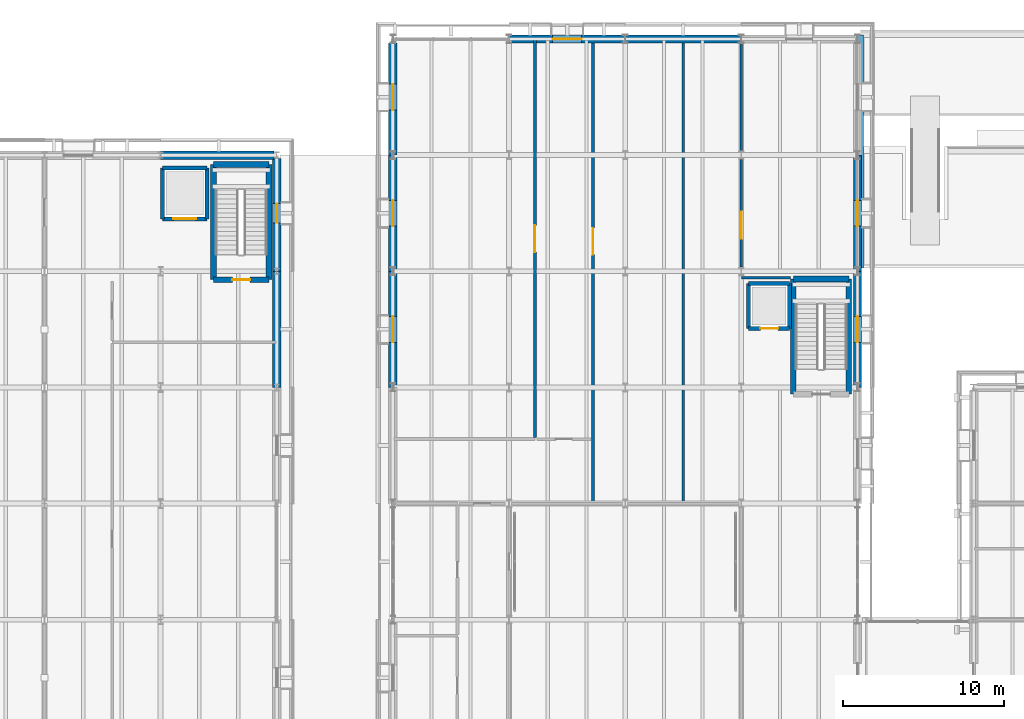
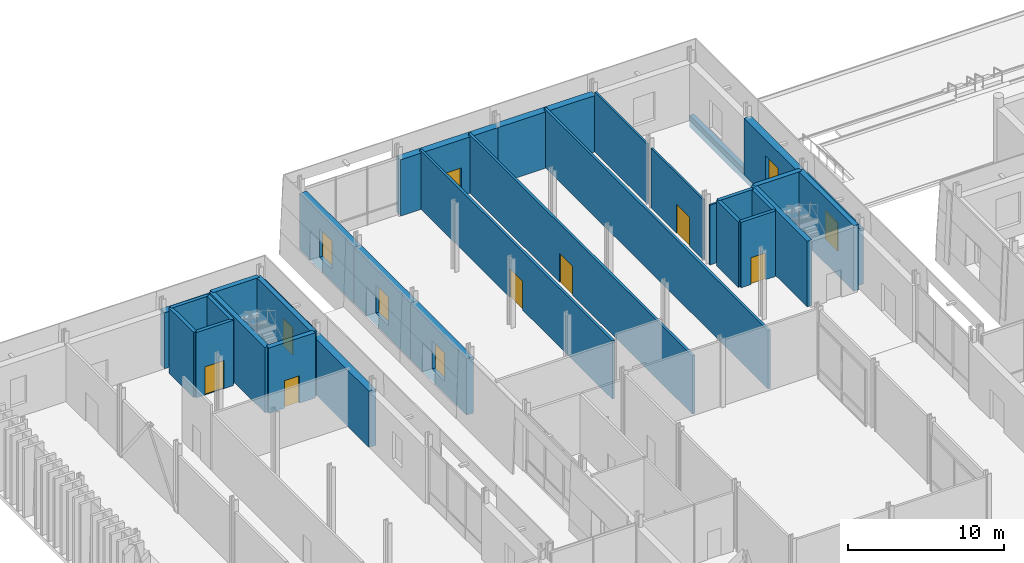
# One storey, part 75 of 120: 32 walls, 7 doors, 6 windows, 13 openings.
"""IFC4 building model written with IfcOpenShell, lengths in metres."""

from ifc_helpers import new_model, si_unit, direction, frame, frame_2d, origin, place, context, subcontext, project, spatial, rectangle, extrude, material, layer, layer_set, type_object, element, fill, save


model = new_model("IFC4")

# Units and contexts
model_context = context("Model", 3, precision=1e-05, world=origin(), true_north=direction((0.0, 1.0)))
body_context = subcontext(model_context, "Body", "Model", "MODEL_VIEW")
ifc_project = project(units=[si_unit("LENGTHUNIT", "METRE"), si_unit("AREAUNIT", "SQUARE_METRE"), si_unit("VOLUMEUNIT", "CUBIC_METRE"), si_unit("PLANEANGLEUNIT", "RADIAN"), si_unit("MASSUNIT", "GRAM", prefix="KILO")], contexts=[model_context])

# Site, building, storey
site_placement = place(None, origin())
site = spatial("IfcSite", under=ifc_project, at=site_placement, CompositionType="ELEMENT")
building_placement = place(site_placement, origin())
building = spatial("IfcBuilding", under=site, at=building_placement, Name="Narikvali Park Central Library", CompositionType="ELEMENT")
storey_placement = place(building_placement, origin())
storey = spatial("IfcBuildingStorey", under=building, at=storey_placement, Name="L00", CompositionType="ELEMENT", Elevation=0.0)

# Walls
ifc_material_1 = material(Name="White Rusticated Limestone over Concrete C35/45", Category="masonry")
ifc_layer_1 = layer(ifc_material_1, 0.340087890625, Name="White Rusticated Limestone over Concrete C35/45")
ifc_layer_set_1 = layer_set([ifc_layer_1], Name="White Rusticated Limestone over Concrete C35/45")
wall_type_1 = type_object("IfcWallType", Name="Forecourt Stepped Stone Plinth Wall 340", PredefinedType="SOLIDWALL", material=ifc_layer_set_1)
wall_1_placement = place(storey_placement, frame((57.800048828125, 101.0, -0.905029296875), z_axis=(0.0, 0.0, 1.0), x_axis=(0.0, 1.0, 0.0)))
element("IfcWall", 1, at=wall_1_placement, inside=storey, type_object=wall_type_1, Name="Forecourt Stone Plinth Wall FC-PLINTH-W", PredefinedType="SOLIDWALL", context=body_context, shape_type="SweptSolid", body=[
    extrude(rectangle(XDim=14.449951171875, YDim=0.340087890625, at=frame_2d((7.22509765625, 0.0))), origin(), (0.0, 0.0, 1.0), 0.905029296875),
])
ifc_material_2 = material(Name="Gypsum Board on Galvanised Steel Studs", Category="steel")
ifc_layer_2 = layer(ifc_material_2, 0.139892578125, Name="Gypsum Board on Galvanised Steel Studs")
ifc_layer_set_2 = layer_set([ifc_layer_2], Name="Gypsum Board on Galvanised Steel Studs")
wall_type_2 = type_object("IfcWallType", Name="Periodicals Partition Wall 140", PredefinedType="PARTITIONING", material=ifc_layer_set_2)
wall_2_placement = place(storey_placement, frame((50.39990234375, 100.39990234375, 0.0), z_axis=(0.0, 0.0, 1.0), x_axis=(1.0, 0.0, 0.0)))
element("IfcWall", 2, at=wall_2_placement, inside=storey, type_object=wall_type_2, Name="Current Periodicals Browsing Salon Partition S", PredefinedType="PARTITIONING", context=body_context, shape_type="SweptSolid", body=[
    extrude(rectangle(XDim=3.052978515625, YDim=0.139892578125, at=frame_2d((1.5263671875, 0.0))), origin(), (0.0, 0.0, 1.0), 4.6650390625),
])

# Wall, opening, door
wall_3_placement = place(storey_placement, frame((50.39990234375, 101.06591796875, 0.0), z_axis=(0.0, 0.0, 1.0), x_axis=(0.0, 1.0, 0.0)))
wall_3 = element("IfcWall", 3, at=wall_3_placement, inside=storey, type_object=wall_type_2, Name="Current Periodicals Browsing Salon Partition W", PredefinedType="PARTITIONING", context=body_context, shape_type="SweptSolid", body=[
    extrude(rectangle(XDim=6.66796875, YDim=0.139892578125, at=frame_2d((3.333984375, 0.0))), origin(), (0.0, 0.0, 1.0), 4.6650390625),
])
opening_1_placement = place(wall_3_placement, frame((1.761962890625, 0.0, 0.0)))
opening_1 = element("IfcOpeningElement", 4, at=opening_1_placement, cuts=wall_3, Name="Opening ID-0084", PredefinedType="OPENING", context=body_context, shape_type="SweptSolid", body=[
    extrude(rectangle(XDim=1.64990234375, YDim=2.25, at=frame_2d((0.824951171875, 1.125))), frame((0.0, 0.08203125, 0.0), z_axis=(0.0, -1.0, 0.0), x_axis=(1.0, 0.0, 0.0)), (0.0, 0.0, 1.0), 0.163818359375),
])
ifc_material_3 = material(Name="Caucasian Oak and Tempered Glass", Category="glass")
door_type_1 = type_object("IfcDoorType", Name="Open Stacks Double Glazed Door 1650x2250", OperationType="DOUBLE_DOOR_SINGLE_SWING", PredefinedType="DOOR", material=ifc_material_3)
door_1_placement = place(opening_1_placement, frame((1.64990234375, 0.0, 0.0), z_axis=(0.0, 0.0, 1.0), x_axis=(-1.0, 0.0, 0.0)))
door_1 = element("IfcDoor", 5, at=door_1_placement, inside=storey, type_object=door_type_1, Name="Current Periodicals Browsing Salon Door ID-0084", OperationType="DOUBLE_DOOR_SINGLE_SWING", OverallHeight=2.25, OverallWidth=1.64990234375, PredefinedType="DOOR", context=body_context, shape_type="SweptSolid", body=[
    extrude(rectangle(XDim=1.64990234375, YDim=2.25, at=frame_2d((0.824951171875, 1.125))), frame((0.0, 0.02490234375, 0.0), z_axis=(0.0, -1.0, 0.0), x_axis=(1.0, 0.0, 0.0)), (0.0, 0.0, 1.0), 0.050048828125),
])
fill(opening_1, door_1)

# Wall
wall_4_placement = place(storey_placement, frame((50.39990234375, 108.26611328125, 0.0), z_axis=(0.0, 0.0, 1.0), x_axis=(0.0, 1.0, 0.0)))
element("IfcWall", 6, at=wall_4_placement, inside=storey, type_object=wall_type_2, Name="Current Periodicals Browsing Salon Partition W", PredefinedType="PARTITIONING", context=body_context, shape_type="SweptSolid", body=[
    extrude(rectangle(XDim=6.679931640625, YDim=0.139892578125, at=frame_2d((3.33984375, 0.0))), origin(), (0.0, 0.0, 1.0), 4.6650390625),
])

# Wall, opening, door
ifc_material_4 = material(Name="Acoustic Gypsum on Steel Studs", Category="steel")
ifc_layer_3 = layer(ifc_material_4, 0.179931640625, Name="Acoustic Gypsum on Steel Studs")
ifc_layer_set_3 = layer_set([ifc_layer_3], Name="Acoustic Gypsum on Steel Studs")
wall_type_3 = type_object("IfcWallType", Name="Reading Room Acoustic Partition 180", PredefinedType="PARTITIONING", material=ifc_layer_set_3)
wall_5_placement = place(storey_placement, frame((41.199951171875, 86.48193359375, 0.0), z_axis=(0.0, 0.0, 1.0), x_axis=(0.0, 1.0, 0.0)))
wall_5 = element("IfcWall", 7, at=wall_5_placement, inside=storey, type_object=wall_type_3, Name="Social Sciences East Open Stacks Partition W", PredefinedType="PARTITIONING", context=body_context, shape_type="SweptSolid", body=[
    extrude(rectangle(XDim=28.6630859375, YDim=0.179931640625, at=frame_2d((14.33154296875, 0.0))), origin(), (0.0, 0.0, 1.0), 4.554931640625),
])
opening_2_placement = place(wall_5_placement, frame((15.345458984375, 0.0, 0.0)))
opening_2 = element("IfcOpeningElement", 8, at=opening_2_placement, cuts=wall_5, Name="Opening ID-0085", PredefinedType="OPENING", context=body_context, shape_type="SweptSolid", body=[
    extrude(rectangle(XDim=1.64990234375, YDim=2.25, at=frame_2d((0.824951171875, 1.125))), frame((0.0, 0.10205078125, 0.0), z_axis=(0.0, -1.0, 0.0), x_axis=(1.0, 0.0, 0.0)), (0.0, 0.0, 1.0), 0.203857421875),
])
door_2_placement = place(opening_2_placement, frame((1.64990234375, 0.0, 0.0), z_axis=(0.0, 0.0, 1.0), x_axis=(-1.0, 0.0, 0.0)))
door_2 = element("IfcDoor", 9, at=door_2_placement, inside=storey, type_object=door_type_1, Name="Social Sciences East Open Stacks Door ID-0085", OperationType="DOUBLE_DOOR_SINGLE_SWING", OverallHeight=2.25, OverallWidth=1.64990234375, PredefinedType="DOOR", context=body_context, shape_type="SweptSolid", body=[
    extrude(rectangle(XDim=1.64990234375, YDim=2.25, at=frame_2d((0.824951171875, 1.125))), frame((0.0, 0.02490234375, 0.0), z_axis=(0.0, -1.0, 0.0), x_axis=(1.0, 0.0, 0.0)), (0.0, 0.0, 1.0), 0.050048828125),
])
fill(opening_2, door_2)

# Wall
wall_6_placement = place(storey_placement, frame((46.800048828125, 86.48193359375, 0.0), z_axis=(0.0, 0.0, 1.0), x_axis=(0.0, 1.0, 0.0)))
element("IfcWall", 10, at=wall_6_placement, inside=storey, type_object=wall_type_3, Name="Social Sciences East Open Stacks Partition E", PredefinedType="PARTITIONING", context=body_context, shape_type="SweptSolid", body=[
    extrude(rectangle(XDim=28.6630859375, YDim=0.179931640625, at=frame_2d((14.33154296875, 0.0))), origin(), (0.0, 0.0, 1.0), 4.554931640625),
])

# Wall, opening, door
wall_7_placement = place(storey_placement, frame((37.60009765625, 90.491943359375, 0.0), z_axis=(0.0, 0.0, 1.0), x_axis=(0.0, 1.0, 0.0)))
wall_7 = element("IfcWall", 11, at=wall_7_placement, inside=storey, type_object=wall_type_3, Name="Social Sciences West Open Stacks Partition E", PredefinedType="PARTITIONING", context=body_context, shape_type="SweptSolid", body=[
    extrude(rectangle(XDim=24.653076171875, YDim=0.179931640625, at=frame_2d((12.32666015625, 0.0))), origin(), (0.0, 0.0, 1.0), 4.554931640625),
])
opening_3_placement = place(wall_7_placement, frame((11.50146484375, 0.0, 0.0)))
opening_3 = element("IfcOpeningElement", 12, at=opening_3_placement, cuts=wall_7, Name="Opening ID-0086", PredefinedType="OPENING", context=body_context, shape_type="SweptSolid", body=[
    extrude(rectangle(XDim=1.64990234375, YDim=2.25, at=frame_2d((0.824951171875, 1.125))), frame((0.0, 0.10205078125, 0.0), z_axis=(0.0, -1.0, 0.0), x_axis=(1.0, 0.0, 0.0)), (0.0, 0.0, 1.0), 0.203857421875),
])
door_3_placement = place(opening_3_placement, origin())
door_3 = element("IfcDoor", 13, at=door_3_placement, inside=storey, type_object=door_type_1, Name="Social Sciences West Open Stacks Door ID-0086", OperationType="DOUBLE_DOOR_SINGLE_SWING", OverallHeight=2.25, OverallWidth=1.64990234375, PredefinedType="DOOR", context=body_context, shape_type="SweptSolid", body=[
    extrude(rectangle(XDim=1.64990234375, YDim=2.25, at=frame_2d((0.824951171875, 1.125))), frame((0.0, 0.02490234375, 0.0), z_axis=(0.0, -1.0, 0.0), x_axis=(1.0, 0.0, 0.0)), (0.0, 0.0, 1.0), 0.050048828125),
])
fill(opening_3, door_3)

# Walls
ifc_material_5 = material(Name="Concrete C40/50", Category="concrete")
ifc_layer_4 = layer(ifc_material_5, 0.35009765625, Name="Concrete C40/50")
ifc_layer_set_4 = layer_set([ifc_layer_4], Name="Concrete C40/50")
wall_type_4 = type_object("IfcWallType", Name="Reinforced Concrete Core Shear Wall 350", PredefinedType="SHEAR", material=ifc_layer_set_4)
wall_8_placement = place(storey_placement, frame((57.070068359375, 93.179931640625, 0.0), z_axis=(0.0, 0.0, 1.0), x_axis=(0.0, 1.0, 0.0)))
element("IfcWall", 14, at=wall_8_placement, inside=storey, type_object=wall_type_4, Name="C4B L00 Stair Core Shear Wall E", PredefinedType="SHEAR", context=body_context, shape_type="SweptSolid", body=[
    extrude(rectangle(XDim=7.14013671875, YDim=0.35009765625, at=frame_2d((3.570068359375, 0.0))), origin(), (0.0, 0.0, 1.0), 5.1201171875),
])
wall_9_placement = place(storey_placement, frame((57.070068359375, 100.320068359375, 0.0), z_axis=(0.0, 0.0, 1.0), x_axis=(-1.0, 0.0, 0.0)))
element("IfcWall", 15, at=wall_9_placement, inside=storey, type_object=wall_type_4, Name="C4B L00 Stair Core Shear Wall N", PredefinedType="SHEAR", context=body_context, shape_type="SweptSolid", body=[
    extrude(rectangle(XDim=3.440185546875, YDim=0.35009765625, at=frame_2d((1.72021484375, 0.0))), origin(), (0.0, 0.0, 1.0), 5.1201171875),
])
wall_10_placement = place(storey_placement, frame((53.6298828125, 100.320068359375, 0.0), z_axis=(0.0, 0.0, 1.0), x_axis=(0.0, -1.0, 0.0)))
element("IfcWall", 16, at=wall_10_placement, inside=storey, type_object=wall_type_4, Name="C4B L00 Stair Core Shear Wall W", PredefinedType="SHEAR", context=body_context, shape_type="SweptSolid", body=[
    extrude(rectangle(XDim=7.14013671875, YDim=0.35009765625, at=frame_2d((3.570068359375, 0.0))), origin(), (0.0, 0.0, 1.0), 5.1201171875),
])

# Wall, opening, door
wall_11_placement = place(storey_placement, frame((17.679931640625, 100.280029296875, 0.0), z_axis=(0.0, 0.0, 1.0), x_axis=(1.0, 0.0, 0.0)))
wall_11 = element("IfcWall", 17, at=wall_11_placement, inside=storey, type_object=wall_type_4, Name="C5B L00 Stair Core Shear Wall S", PredefinedType="SHEAR", context=body_context, shape_type="SweptSolid", body=[
    extrude(rectangle(XDim=3.440185546875, YDim=0.35009765625, at=frame_2d((1.72021484375, 0.0))), origin(), (0.0, 0.0, 1.0), 5.10009765625),
])
opening_4_placement = place(wall_11_placement, frame((1.169921875, 0.0, 0.0)))
opening_4 = element("IfcOpeningElement", 18, at=opening_4_placement, cuts=wall_11, Name="Opening SD-051", PredefinedType="OPENING", context=body_context, shape_type="SweptSolid", body=[
    extrude(rectangle(XDim=1.10009765625, YDim=2.14990234375, at=frame_2d((0.550048828125, 1.074951171875))), frame((0.0, 0.18701171875, 0.0), z_axis=(0.0, -1.0, 0.0), x_axis=(1.0, 0.0, 0.0)), (0.0, 0.0, 1.0), 0.3740234375),
])
ifc_material_6 = material(Name="Powder-Coated Steel S275 Fire Leaf", Category="steel")
door_type_2 = type_object("IfcDoorType", Name="Stair Core Smoke-Control Fire Door 1100x2150", OperationType="SINGLE_SWING_LEFT", PredefinedType="DOOR", material=ifc_material_6)
door_4_placement = place(opening_4_placement, frame((1.10009765625, 0.0, 0.0), z_axis=(0.0, 0.0, 1.0), x_axis=(-1.0, 0.0, 0.0)))
door_4 = element("IfcDoor", 19, at=door_4_placement, inside=storey, type_object=door_type_2, Name="ST-10 L00 Stair Exit Door SD-051", OperationType="SINGLE_SWING_LEFT", OverallHeight=2.14990234375, OverallWidth=1.10009765625, PredefinedType="DOOR", context=body_context, shape_type="SweptSolid", body=[
    extrude(rectangle(XDim=1.10009765625, YDim=2.14990234375, at=frame_2d((0.550048828125, 1.074951171875))), frame((0.0, 0.02490234375, 0.0), z_axis=(0.0, -1.0, 0.0), x_axis=(1.0, 0.0, 0.0)), (0.0, 0.0, 1.0), 0.050048828125),
])
fill(opening_4, door_4)

# Walls
wall_12_placement = place(storey_placement, frame((21.1201171875, 100.280029296875, 0.0), z_axis=(0.0, 0.0, 1.0), x_axis=(0.0, 1.0, 0.0)))
element("IfcWall", 20, at=wall_12_placement, inside=storey, type_object=wall_type_4, Name="C5B L00 Stair Core Shear Wall E", PredefinedType="SHEAR", context=body_context, shape_type="SweptSolid", body=[
    extrude(rectangle(XDim=7.139892578125, YDim=0.35009765625, at=frame_2d((3.56982421875, 0.0))), origin(), (0.0, 0.0, 1.0), 5.10009765625),
])
wall_13_placement = place(storey_placement, frame((21.1201171875, 107.419921875, 0.0), z_axis=(0.0, 0.0, 1.0), x_axis=(-1.0, 0.0, 0.0)))
element("IfcWall", 21, at=wall_13_placement, inside=storey, type_object=wall_type_4, Name="C5B L00 Stair Core Shear Wall N", PredefinedType="SHEAR", context=body_context, shape_type="SweptSolid", body=[
    extrude(rectangle(XDim=3.440185546875, YDim=0.35009765625, at=frame_2d((1.72021484375, 0.0))), origin(), (0.0, 0.0, 1.0), 5.10009765625),
])
wall_14_placement = place(storey_placement, frame((17.679931640625, 107.419921875, 0.0), z_axis=(0.0, 0.0, 1.0), x_axis=(0.0, -1.0, 0.0)))
element("IfcWall", 22, at=wall_14_placement, inside=storey, type_object=wall_type_4, Name="C5B L00 Stair Core Shear Wall W", PredefinedType="SHEAR", context=body_context, shape_type="SweptSolid", body=[
    extrude(rectangle(XDim=7.139892578125, YDim=0.35009765625, at=frame_2d((3.56982421875, 0.0))), origin(), (0.0, 0.0, 1.0), 5.10009765625),
])

# Wall, opening, door
ifc_layer_5 = layer(ifc_material_5, 0.25, Name="Concrete C40/50")
ifc_layer_set_5 = layer_set([ifc_layer_5], Name="Concrete C40/50")
wall_type_5 = type_object("IfcWallType", Name="Reinforced Concrete Lift Shaft Wall 250", PredefinedType="SHEAR", material=ifc_layer_set_5)
wall_15_placement = place(storey_placement, frame((50.85009765625, 97.25, 0.0), z_axis=(0.0, 0.0, 1.0), x_axis=(1.0, 0.0, 0.0)))
wall_15 = element("IfcWall", 23, at=wall_15_placement, inside=storey, type_object=wall_type_5, Name="L-06 L00 Lift Shaft Wall S", PredefinedType="SHEAR", context=body_context, shape_type="SweptSolid", body=[
    extrude(rectangle(XDim=2.5498046875, YDim=0.25, at=frame_2d((1.27490234375, 0.0))), origin(), (0.0, 0.0, 1.0), 5.1201171875),
])
opening_5_placement = place(wall_15_placement, frame((0.72509765625, 0.0, 0.0)))
opening_5 = element("IfcOpeningElement", 24, at=opening_5_placement, cuts=wall_15, Name="Opening LD-029", PredefinedType="OPENING", context=body_context, shape_type="SweptSolid", body=[
    extrude(rectangle(XDim=1.10009765625, YDim=2.10009765625, at=frame_2d((0.550048828125, 1.050048828125))), frame((0.0, 0.136962890625, 0.0), z_axis=(0.0, -1.0, 0.0), x_axis=(1.0, 0.0, 0.0)), (0.0, 0.0, 1.0), 0.27392578125),
])
ifc_material_7 = material(Name="Brushed Stainless Steel S355", Category="steel")
door_type_3 = type_object("IfcDoorType", Name="Passenger Lift Sliding Landing Door 1100x2100", OperationType="SLIDING_TO_LEFT", PredefinedType="DOOR", material=ifc_material_7)
door_5_placement = place(opening_5_placement, origin())
door_5 = element("IfcDoor", 25, at=door_5_placement, inside=storey, type_object=door_type_3, Name="L-06 L00 Lift Landing Sliding Door LD-029", OperationType="SLIDING_TO_LEFT", OverallHeight=2.10009765625, OverallWidth=1.10009765625, PredefinedType="DOOR", context=body_context, shape_type="SweptSolid", body=[
    extrude(rectangle(XDim=1.10009765625, YDim=2.10009765625, at=frame_2d((0.550048828125, 1.050048828125))), frame((0.0, 0.02490234375, 0.0), z_axis=(0.0, -1.0, 0.0), x_axis=(1.0, 0.0, 0.0)), (0.0, 0.0, 1.0), 0.050048828125),
])
fill(opening_5, door_5)

# Walls
wall_16_placement = place(storey_placement, frame((53.39990234375, 97.25, 0.0), z_axis=(0.0, 0.0, 1.0), x_axis=(0.0, 1.0, 0.0)))
element("IfcWall", 26, at=wall_16_placement, inside=storey, type_object=wall_type_5, Name="L-06 L00 Lift Shaft Wall E", PredefinedType="SHEAR", context=body_context, shape_type="SweptSolid", body=[
    extrude(rectangle(XDim=2.800048828125, YDim=0.25, at=frame_2d((1.39990234375, 0.0))), origin(), (0.0, 0.0, 1.0), 5.1201171875),
])
wall_17_placement = place(storey_placement, frame((53.39990234375, 100.050048828125, 0.0), z_axis=(0.0, 0.0, 1.0), x_axis=(-1.0, 0.0, 0.0)))
element("IfcWall", 27, at=wall_17_placement, inside=storey, type_object=wall_type_5, Name="L-06 L00 Lift Shaft Wall N", PredefinedType="SHEAR", context=body_context, shape_type="SweptSolid", body=[
    extrude(rectangle(XDim=2.5498046875, YDim=0.25, at=frame_2d((1.27490234375, 0.0))), origin(), (0.0, 0.0, 1.0), 5.1201171875),
])
wall_18_placement = place(storey_placement, frame((50.85009765625, 100.050048828125, 0.0), z_axis=(0.0, 0.0, 1.0), x_axis=(0.0, -1.0, 0.0)))
element("IfcWall", 28, at=wall_18_placement, inside=storey, type_object=wall_type_5, Name="L-06 L00 Lift Shaft Wall W", PredefinedType="SHEAR", context=body_context, shape_type="SweptSolid", body=[
    extrude(rectangle(XDim=2.800048828125, YDim=0.25, at=frame_2d((1.39990234375, 0.0))), origin(), (0.0, 0.0, 1.0), 5.1201171875),
])

# Wall, opening, door
wall_19_placement = place(storey_placement, frame((14.52001953125, 104.050048828125, 0.0), z_axis=(0.0, 0.0, 1.0), x_axis=(1.0, 0.0, 0.0)))
wall_19 = element("IfcWall", 29, at=wall_19_placement, inside=storey, type_object=wall_type_5, Name="GL-02 L00 Lift Shaft Wall S", PredefinedType="SHEAR", context=body_context, shape_type="SweptSolid", body=[
    extrude(rectangle(XDim=2.75, YDim=0.25, at=frame_2d((1.375, 0.0))), origin(), (0.0, 0.0, 1.0), 5.10009765625),
])
opening_6_placement = place(wall_19_placement, frame((0.675048828125, 0.0, 0.0)))
opening_6 = element("IfcOpeningElement", 30, at=opening_6_placement, cuts=wall_19, Name="Opening LD-042", PredefinedType="OPENING", context=body_context, shape_type="SweptSolid", body=[
    extrude(rectangle(XDim=1.39990234375, YDim=2.199951171875, at=frame_2d((0.699951171875, 1.10009765625))), frame((0.0, 0.136962890625, 0.0), z_axis=(0.0, -1.0, 0.0), x_axis=(1.0, 0.0, 0.0)), (0.0, 0.0, 1.0), 0.27392578125),
])
door_type_4 = type_object("IfcDoorType", Name="Book Goods Lift Sliding Landing Door 1400x2200", OperationType="DOUBLE_DOOR_SLIDING", PredefinedType="DOOR", material=ifc_material_7)
door_6_placement = place(opening_6_placement, origin())
door_6 = element("IfcDoor", 31, at=door_6_placement, inside=storey, type_object=door_type_4, Name="GL-02 L00 Lift Landing Sliding Door LD-042", OperationType="DOUBLE_DOOR_SLIDING", OverallHeight=2.199951171875, OverallWidth=1.39990234375, PredefinedType="DOOR", context=body_context, shape_type="SweptSolid", body=[
    extrude(rectangle(XDim=1.39990234375, YDim=2.199951171875, at=frame_2d((0.699951171875, 1.10009765625))), frame((0.0, 0.02490234375, 0.0), z_axis=(0.0, -1.0, 0.0), x_axis=(1.0, 0.0, 0.0)), (0.0, 0.0, 1.0), 0.050048828125),
])
fill(opening_6, door_6)

# Walls
wall_20_placement = place(storey_placement, frame((17.27001953125, 104.050048828125, 0.0), z_axis=(0.0, 0.0, 1.0), x_axis=(0.0, 1.0, 0.0)))
element("IfcWall", 32, at=wall_20_placement, inside=storey, type_object=wall_type_5, Name="GL-02 L00 Lift Shaft Wall E", PredefinedType="SHEAR", context=body_context, shape_type="SweptSolid", body=[
    extrude(rectangle(XDim=3.14990234375, YDim=0.25, at=frame_2d((1.574951171875, 0.0))), origin(), (0.0, 0.0, 1.0), 5.10009765625),
])
wall_21_placement = place(storey_placement, frame((17.27001953125, 107.199951171875, 0.0), z_axis=(0.0, 0.0, 1.0), x_axis=(-1.0, 0.0, 0.0)))
element("IfcWall", 33, at=wall_21_placement, inside=storey, type_object=wall_type_5, Name="GL-02 L00 Lift Shaft Wall N", PredefinedType="SHEAR", context=body_context, shape_type="SweptSolid", body=[
    extrude(rectangle(XDim=2.75, YDim=0.25, at=frame_2d((1.375, 0.0))), origin(), (0.0, 0.0, 1.0), 5.10009765625),
])
wall_22_placement = place(storey_placement, frame((14.52001953125, 107.199951171875, 0.0), z_axis=(0.0, 0.0, 1.0), x_axis=(0.0, -1.0, 0.0)))
element("IfcWall", 34, at=wall_22_placement, inside=storey, type_object=wall_type_5, Name="GL-02 L00 Lift Shaft Wall W", PredefinedType="SHEAR", context=body_context, shape_type="SweptSolid", body=[
    extrude(rectangle(XDim=3.14990234375, YDim=0.25, at=frame_2d((1.574951171875, 0.0))), origin(), (0.0, 0.0, 1.0), 5.10009765625),
])

# Wall, opening, window
ifc_layer_6 = layer(ifc_material_1, 0.52001953125, Name="White Rusticated Limestone over Concrete C35/45")
ifc_layer_set_6 = layer_set([ifc_layer_6], Name="White Rusticated Limestone over Concrete C35/45")
wall_type_6 = type_object("IfcWallType", Name="White Limestone Ashlar Plinth Wall 520", PredefinedType="SOLIDWALL", material=ifc_layer_set_6)
wall_23_placement = place(storey_placement, frame((57.60009765625, 93.60009765625, 0.0), z_axis=(0.0, 0.0, 1.0), x_axis=(0.0, 1.0, 0.0)))
wall_23 = element("IfcWall", 35, at=wall_23_placement, inside=storey, type_object=wall_type_6, Name="V4 L00 E Exterior Limestone Wall B07", PredefinedType="SOLIDWALL", context=body_context, shape_type="SweptSolid", body=[
    extrude(rectangle(XDim=7.199951171875, YDim=0.52001953125, at=frame_2d((3.60009765625, 0.0))), origin(), (0.0, 0.0, 1.0), 4.39990234375),
])
opening_7_placement = place(wall_23_placement, frame((2.800048828125, 0.0, 0.949951171875)))
opening_7 = element("IfcOpeningElement", 36, at=opening_7_placement, cuts=wall_23, Name="Opening WIN-0133", PredefinedType="OPENING", context=body_context, shape_type="SweptSolid", body=[
    extrude(rectangle(XDim=1.60009765625, YDim=2.199951171875, at=frame_2d((0.800048828125, 1.10009765625))), frame((0.0, 0.27197265625, 0.0), z_axis=(0.0, -1.0, 0.0), x_axis=(1.0, 0.0, 0.0)), (0.0, 0.0, 1.0), 0.5439453125),
])
ifc_material_8 = material(Name="Anodised Bronze Aluminium and Low-E Triple Glazing", Category="aluminium")
window_type_1 = type_object("IfcWindowType", Name="Atrium Reading Wing Classical Window 1600x2200", PartitioningType="DOUBLE_PANEL_VERTICAL", PredefinedType="WINDOW", material=ifc_material_8)
window_1_placement = place(opening_7_placement, origin())
window_1 = element("IfcWindow", 37, at=window_1_placement, inside=storey, type_object=window_type_1, Name="V4 L00 E Deep-Reveal Window WIN-0133", OverallHeight=2.199951171875, OverallWidth=1.60009765625, PartitioningType="SINGLE_PANEL", PredefinedType="WINDOW", context=body_context, shape_type="SweptSolid", body=[
    extrude(rectangle(XDim=1.60009765625, YDim=2.199951171875, at=frame_2d((0.800048828125, 1.10009765625))), frame((0.0, 0.030029296875, 0.0), z_axis=(0.0, -1.0, 0.0), x_axis=(1.0, 0.0, 0.0)), (0.0, 0.0, 1.0), 0.06005859375),
])
fill(opening_7, window_1)

wall_24_placement = place(storey_placement, frame((57.60009765625, 100.800048828125, 0.0), z_axis=(0.0, 0.0, 1.0), x_axis=(0.0, 1.0, 0.0)))
wall_24 = element("IfcWall", 38, at=wall_24_placement, inside=storey, type_object=wall_type_6, Name="V4 L00 E Exterior Limestone Wall B08", PredefinedType="SOLIDWALL", context=body_context, shape_type="SweptSolid", body=[
    extrude(rectangle(XDim=7.199951171875, YDim=0.52001953125, at=frame_2d((3.60009765625, 0.0))), origin(), (0.0, 0.0, 1.0), 4.39990234375),
])
opening_8_placement = place(wall_24_placement, frame((2.800048828125, 0.0, 0.949951171875)))
opening_8 = element("IfcOpeningElement", 39, at=opening_8_placement, cuts=wall_24, Name="Opening WIN-0134", PredefinedType="OPENING", context=body_context, shape_type="SweptSolid", body=[
    extrude(rectangle(XDim=1.60009765625, YDim=2.199951171875, at=frame_2d((0.800048828125, 1.10009765625))), frame((0.0, 0.27197265625, 0.0), z_axis=(0.0, -1.0, 0.0), x_axis=(1.0, 0.0, 0.0)), (0.0, 0.0, 1.0), 0.5439453125),
])
window_2_placement = place(opening_8_placement, origin())
window_2 = element("IfcWindow", 40, at=window_2_placement, inside=storey, type_object=window_type_1, Name="V4 L00 E Deep-Reveal Window WIN-0134", OverallHeight=2.199951171875, OverallWidth=1.60009765625, PartitioningType="SINGLE_PANEL", PredefinedType="WINDOW", context=body_context, shape_type="SweptSolid", body=[
    extrude(rectangle(XDim=1.60009765625, YDim=2.199951171875, at=frame_2d((0.800048828125, 1.10009765625))), frame((0.0, 0.030029296875, 0.0), z_axis=(0.0, -1.0, 0.0), x_axis=(1.0, 0.0, 0.0)), (0.0, 0.0, 1.0), 0.06005859375),
])
fill(opening_8, window_2)

# Wall
wall_25_placement = place(storey_placement, frame((50.39990234375, 115.199951171875, 0.0), z_axis=(0.0, 0.0, 1.0), x_axis=(-1.0, 0.0, 0.0)))
element("IfcWall", 41, at=wall_25_placement, inside=storey, type_object=wall_type_6, Name="V4 L00 N Exterior Limestone Wall B02", PredefinedType="SOLIDWALL", context=body_context, shape_type="SweptSolid", body=[
    extrude(rectangle(XDim=7.199951171875, YDim=0.52001953125, at=frame_2d((3.60009765625, 0.0))), origin(), (0.0, 0.0, 1.0), 4.39990234375),
])

# Wall, opening, door
wall_26_placement = place(storey_placement, frame((43.199951171875, 115.199951171875, 0.0), z_axis=(0.0, 0.0, 1.0), x_axis=(-1.0, 0.0, 0.0)))
wall_26 = element("IfcWall", 42, at=wall_26_placement, inside=storey, type_object=wall_type_6, Name="V4 L00 N Exterior Limestone Wall B03", PredefinedType="SOLIDWALL", context=body_context, shape_type="SweptSolid", body=[
    extrude(rectangle(XDim=7.199951171875, YDim=0.52001953125, at=frame_2d((3.60009765625, 0.0))), origin(), (0.0, 0.0, 1.0), 4.39990234375),
])
opening_9_placement = place(wall_26_placement, frame((2.699951171875, 0.0, 0.0)))
opening_9 = element("IfcOpeningElement", 43, at=opening_9_placement, cuts=wall_26, Name="Opening ED-030", PredefinedType="OPENING", context=body_context, shape_type="SweptSolid", body=[
    extrude(rectangle(XDim=1.800048828125, YDim=2.199951171875, at=frame_2d((0.89990234375, 1.10009765625))), frame((0.0, 0.27197265625, 0.0), z_axis=(0.0, -1.0, 0.0), x_axis=(1.0, 0.0, 0.0)), (0.0, 0.0, 1.0), 0.5439453125),
])
ifc_material_9 = material(Name="Powder-Coated Galvanised Steel S275", Category="steel")
door_type_5 = type_object("IfcDoorType", Name="Exterior Final Exit Double Fire Door 1800x2200", OperationType="DOUBLE_DOOR_SINGLE_SWING", PredefinedType="DOOR", material=ifc_material_9)
door_7_placement = place(opening_9_placement, frame((1.800048828125, 0.0, 0.0), z_axis=(0.0, 0.0, 1.0), x_axis=(-1.0, 0.0, 0.0)))
door_7 = element("IfcDoor", 44, at=door_7_placement, inside=storey, type_object=door_type_5, Name="V4 Ground Final Exit Discharge Door ED-030", OperationType="DOUBLE_DOOR_SINGLE_SWING", OverallHeight=2.199951171875, OverallWidth=1.800048828125, PredefinedType="DOOR", context=body_context, shape_type="SweptSolid", body=[
    extrude(rectangle(XDim=1.800048828125, YDim=2.199951171875, at=frame_2d((0.89990234375, 1.10009765625))), frame((0.0, 0.02490234375, 0.0), z_axis=(0.0, -1.0, 0.0), x_axis=(1.0, 0.0, 0.0)), (0.0, 0.0, 1.0), 0.050048828125),
])
fill(opening_9, door_7)

# Wall, opening, window
wall_27_placement = place(storey_placement, frame((28.800048828125, 114.946044921875, 0.0), z_axis=(0.0, 0.0, 1.0), x_axis=(0.0, -1.0, 0.0)))
wall_27 = element("IfcWall", 45, at=wall_27_placement, inside=storey, type_object=wall_type_6, Name="V4 L00 W Exterior Limestone Wall B01", PredefinedType="SOLIDWALL", context=body_context, shape_type="SweptSolid", body=[
    extrude(rectangle(XDim=6.946044921875, YDim=0.52001953125, at=frame_2d((3.47314453125, 0.0))), origin(), (0.0, 0.0, 1.0), 4.39990234375),
])
opening_10_placement = place(wall_27_placement, frame((2.5458984375, 0.0, 0.949951171875)))
opening_10 = element("IfcOpeningElement", 46, at=opening_10_placement, cuts=wall_27, Name="Opening WIN-0137", PredefinedType="OPENING", context=body_context, shape_type="SweptSolid", body=[
    extrude(rectangle(XDim=1.60009765625, YDim=2.199951171875, at=frame_2d((0.800048828125, 1.10009765625))), frame((0.0, 0.27197265625, 0.0), z_axis=(0.0, -1.0, 0.0), x_axis=(1.0, 0.0, 0.0)), (0.0, 0.0, 1.0), 0.5439453125),
])
window_3_placement = place(opening_10_placement, origin())
window_3 = element("IfcWindow", 47, at=window_3_placement, inside=storey, type_object=window_type_1, Name="V4 L00 W Deep-Reveal Window WIN-0137", OverallHeight=2.199951171875, OverallWidth=1.60009765625, PartitioningType="SINGLE_PANEL", PredefinedType="WINDOW", context=body_context, shape_type="SweptSolid", body=[
    extrude(rectangle(XDim=1.60009765625, YDim=2.199951171875, at=frame_2d((0.800048828125, 1.10009765625))), frame((0.0, 0.030029296875, 0.0), z_axis=(0.0, -1.0, 0.0), x_axis=(1.0, 0.0, 0.0)), (0.0, 0.0, 1.0), 0.06005859375),
])
fill(opening_10, window_3)

wall_28_placement = place(storey_placement, frame((28.800048828125, 108.0, 0.0), z_axis=(0.0, 0.0, 1.0), x_axis=(0.0, -1.0, 0.0)))
wall_28 = element("IfcWall", 48, at=wall_28_placement, inside=storey, type_object=wall_type_6, Name="V4 L00 W Exterior Limestone Wall B02", PredefinedType="SOLIDWALL", context=body_context, shape_type="SweptSolid", body=[
    extrude(rectangle(XDim=7.199951171875, YDim=0.52001953125, at=frame_2d((3.60009765625, 0.0))), origin(), (0.0, 0.0, 1.0), 4.39990234375),
])
opening_11_placement = place(wall_28_placement, frame((2.800048828125, 0.0, 0.949951171875)))
opening_11 = element("IfcOpeningElement", 49, at=opening_11_placement, cuts=wall_28, Name="Opening WIN-0138", PredefinedType="OPENING", context=body_context, shape_type="SweptSolid", body=[
    extrude(rectangle(XDim=1.60009765625, YDim=2.199951171875, at=frame_2d((0.800048828125, 1.10009765625))), frame((0.0, 0.27197265625, 0.0), z_axis=(0.0, -1.0, 0.0), x_axis=(1.0, 0.0, 0.0)), (0.0, 0.0, 1.0), 0.5439453125),
])
window_4_placement = place(opening_11_placement, origin())
window_4 = element("IfcWindow", 50, at=window_4_placement, inside=storey, type_object=window_type_1, Name="V4 L00 W Deep-Reveal Window WIN-0138", OverallHeight=2.199951171875, OverallWidth=1.60009765625, PartitioningType="SINGLE_PANEL", PredefinedType="WINDOW", context=body_context, shape_type="SweptSolid", body=[
    extrude(rectangle(XDim=1.60009765625, YDim=2.199951171875, at=frame_2d((0.800048828125, 1.10009765625))), frame((0.0, 0.030029296875, 0.0), z_axis=(0.0, -1.0, 0.0), x_axis=(1.0, 0.0, 0.0)), (0.0, 0.0, 1.0), 0.06005859375),
])
fill(opening_11, window_4)

wall_29_placement = place(storey_placement, frame((28.800048828125, 100.800048828125, 0.0), z_axis=(0.0, 0.0, 1.0), x_axis=(0.0, -1.0, 0.0)))
wall_29 = element("IfcWall", 51, at=wall_29_placement, inside=storey, type_object=wall_type_6, Name="V4 L00 W Exterior Limestone Wall B03", PredefinedType="SOLIDWALL", context=body_context, shape_type="SweptSolid", body=[
    extrude(rectangle(XDim=7.199951171875, YDim=0.52001953125, at=frame_2d((3.60009765625, 0.0))), origin(), (0.0, 0.0, 1.0), 4.39990234375),
])
opening_12_placement = place(wall_29_placement, frame((2.800048828125, 0.0, 0.949951171875)))
opening_12 = element("IfcOpeningElement", 52, at=opening_12_placement, cuts=wall_29, Name="Opening WIN-0139", PredefinedType="OPENING", context=body_context, shape_type="SweptSolid", body=[
    extrude(rectangle(XDim=1.60009765625, YDim=2.199951171875, at=frame_2d((0.800048828125, 1.10009765625))), frame((0.0, 0.27197265625, 0.0), z_axis=(0.0, -1.0, 0.0), x_axis=(1.0, 0.0, 0.0)), (0.0, 0.0, 1.0), 0.5439453125),
])
window_5_placement = place(opening_12_placement, origin())
window_5 = element("IfcWindow", 53, at=window_5_placement, inside=storey, type_object=window_type_1, Name="V4 L00 W Deep-Reveal Window WIN-0139", OverallHeight=2.199951171875, OverallWidth=1.60009765625, PartitioningType="SINGLE_PANEL", PredefinedType="WINDOW", context=body_context, shape_type="SweptSolid", body=[
    extrude(rectangle(XDim=1.60009765625, YDim=2.199951171875, at=frame_2d((0.800048828125, 1.10009765625))), frame((0.0, 0.030029296875, 0.0), z_axis=(0.0, -1.0, 0.0), x_axis=(1.0, 0.0, 0.0)), (0.0, 0.0, 1.0), 0.06005859375),
])
fill(opening_12, window_5)

# Wall
wall_30_placement = place(storey_placement, frame((21.60009765625, 93.60009765625, 0.0), z_axis=(0.0, 0.0, 1.0), x_axis=(0.0, 1.0, 0.0)))
element("IfcWall", 54, at=wall_30_placement, inside=storey, type_object=wall_type_6, Name="V5 L00 E Exterior Limestone Wall B10", PredefinedType="SOLIDWALL", context=body_context, shape_type="SweptSolid", body=[
    extrude(rectangle(XDim=7.199951171875, YDim=0.52001953125, at=frame_2d((3.60009765625, 0.0))), origin(), (0.0, 0.0, 1.0), 4.3798828125),
])

# Wall, opening, window
wall_31_placement = place(storey_placement, frame((21.60009765625, 100.800048828125, 0.0), z_axis=(0.0, 0.0, 1.0), x_axis=(0.0, 1.0, 0.0)))
wall_31 = element("IfcWall", 55, at=wall_31_placement, inside=storey, type_object=wall_type_6, Name="V5 L00 E Exterior Limestone Wall B11", PredefinedType="SOLIDWALL", context=body_context, shape_type="SweptSolid", body=[
    extrude(rectangle(XDim=6.99853515625, YDim=0.52001953125, at=frame_2d((3.499267578125, 0.0))), origin(), (0.0, 0.0, 1.0), 4.3798828125),
])
opening_13_placement = place(wall_31_placement, frame((3.0, 0.0, 0.949951171875)))
opening_13 = element("IfcOpeningElement", 56, at=opening_13_placement, cuts=wall_31, Name="Opening WIN-0230", PredefinedType="OPENING", context=body_context, shape_type="SweptSolid", body=[
    extrude(rectangle(XDim=1.199951171875, YDim=2.14990234375, at=frame_2d((0.60009765625, 1.074951171875))), frame((0.0, 0.27197265625, 0.0), z_axis=(0.0, -1.0, 0.0), x_axis=(1.0, 0.0, 0.0)), (0.0, 0.0, 1.0), 0.5439453125),
])
window_type_2 = type_object("IfcWindowType", Name="Stacks Archive Deep-Reveal Punched Window 1200x2150", PartitioningType="SINGLE_PANEL", PredefinedType="WINDOW", material=ifc_material_8)
window_6_placement = place(opening_13_placement, origin())
window_6 = element("IfcWindow", 57, at=window_6_placement, inside=storey, type_object=window_type_2, Name="V5 L00 E Deep-Reveal Window WIN-0230", OverallHeight=2.14990234375, OverallWidth=1.199951171875, PartitioningType="SINGLE_PANEL", PredefinedType="WINDOW", context=body_context, shape_type="SweptSolid", body=[
    extrude(rectangle(XDim=1.199951171875, YDim=2.14990234375, at=frame_2d((0.60009765625, 1.074951171875))), frame((0.0, 0.030029296875, 0.0), z_axis=(0.0, -1.0, 0.0), x_axis=(1.0, 0.0, 0.0)), (0.0, 0.0, 1.0), 0.06005859375),
])
fill(opening_13, window_6)

# Wall
wall_32_placement = place(storey_placement, frame((21.44189453125, 108.0, 0.0), z_axis=(0.0, 0.0, 1.0), x_axis=(-1.0, 0.0, 0.0)))
element("IfcWall", 58, at=wall_32_placement, inside=storey, type_object=wall_type_6, Name="V5 L00 N Exterior Limestone Wall B01", PredefinedType="SOLIDWALL", context=body_context, shape_type="SweptSolid", body=[
    extrude(rectangle(XDim=7.0419921875, YDim=0.52001953125, at=frame_2d((3.52099609375, 0.0))), origin(), (0.0, 0.0, 1.0), 4.3798828125),
])

save(model, "model.ifc")
